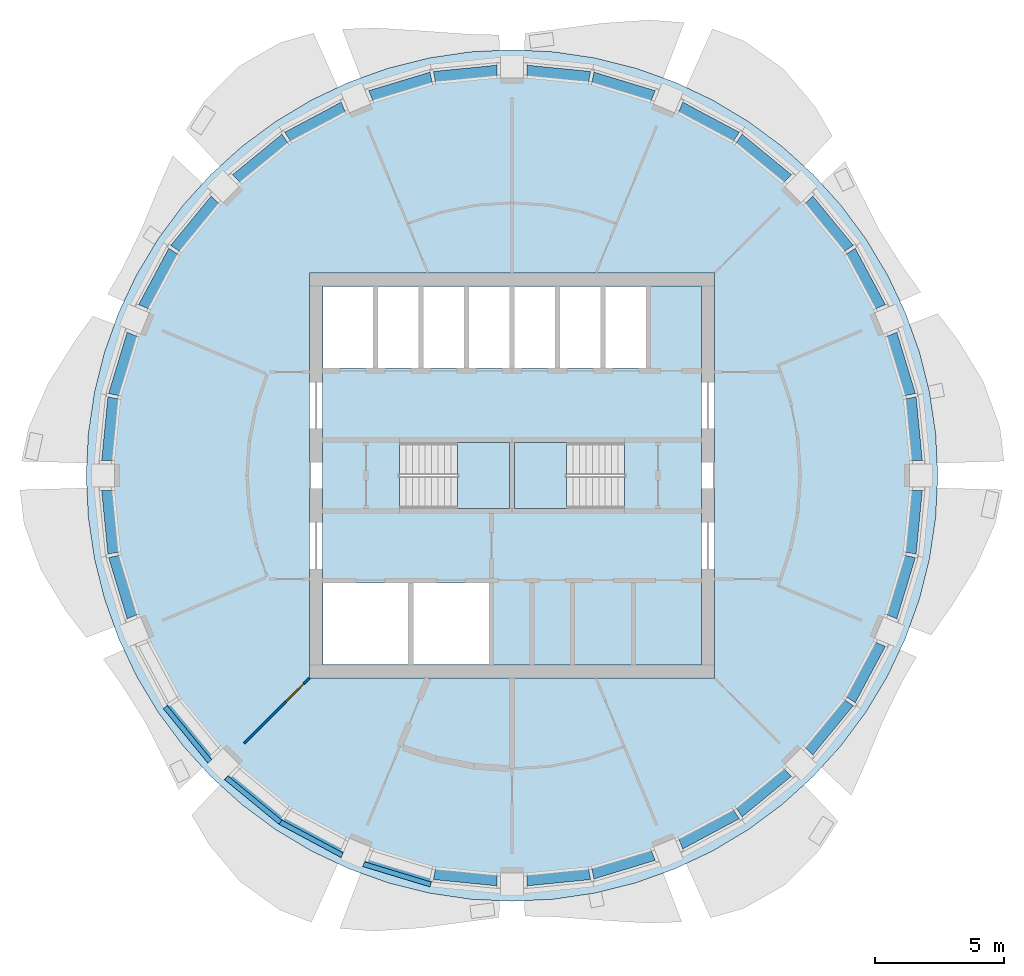
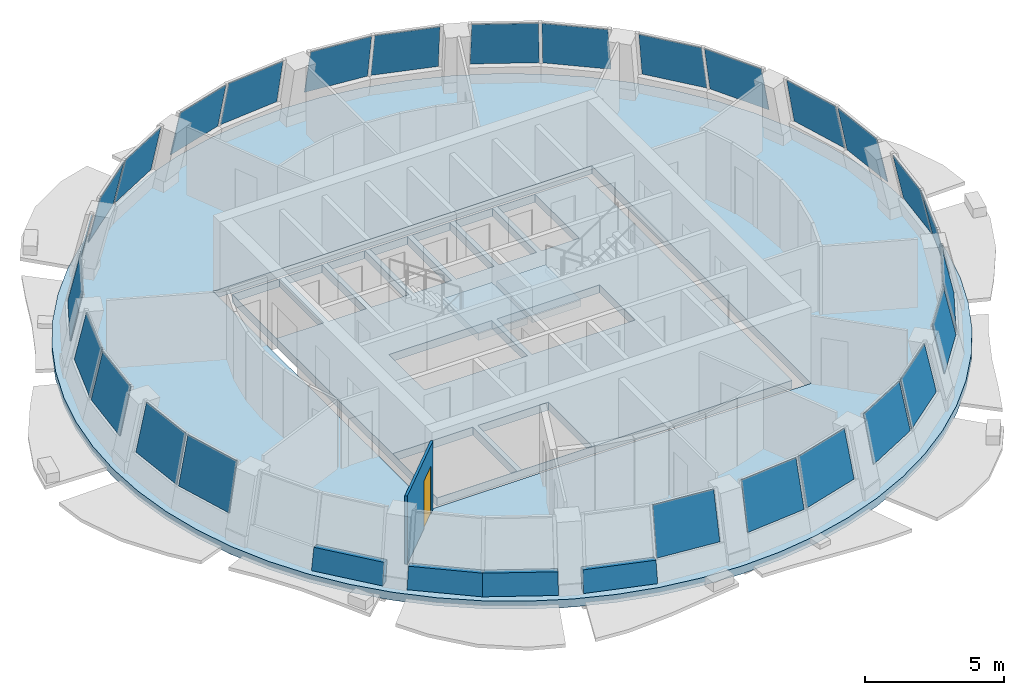
# One storey, part 3 of 11: 27 plates, 5 walls, 4 slabs, 1 door, 1 opening, 16 elements without a shape of their own.
"""IFC4 building model written with IfcOpenShell, lengths in metres."""

from ifc_helpers import new_model, si_unit, direction, frame, frame_2d, origin, place, context, subcontext, project, spatial, polyline, rectangle, outline, extrude, material, layer, layer_set, type_object, element, fill, aggregate, save


model = new_model("IFC4")

# Units and contexts
model_context = context("Model", 3, precision=1e-05, world=origin(), true_north=direction((0.0, 1.0)))
body_context = subcontext(model_context, "Body", "Model", "MODEL_VIEW")
ifc_project = project(units=[si_unit("LENGTHUNIT", "METRE"), si_unit("AREAUNIT", "SQUARE_METRE"), si_unit("VOLUMEUNIT", "CUBIC_METRE"), si_unit("PLANEANGLEUNIT", "RADIAN"), si_unit("MASSUNIT", "GRAM", prefix="KILO")], contexts=[model_context])

# Site, building, storey
site_placement = place(None, origin())
site = spatial("IfcSite", under=ifc_project, at=site_placement, CompositionType="ELEMENT")
building_placement = place(site_placement, origin())
building = spatial("IfcBuilding", under=site, at=building_placement, Name="Polderwave Tower", CompositionType="ELEMENT")
storey_placement = place(building_placement, frame((0.0, 0.0, 214.449951171875)))
storey = spatial("IfcBuildingStorey", under=building, at=storey_placement, Name="L58", CompositionType="ELEMENT", Elevation=214.449951171875)

# Slab
ifc_material_1 = material(Name="Concrete C40/50", Category="concrete")
ifc_layer_1 = layer(ifc_material_1, 0.35009765625)
ifc_layer_set_1 = layer_set([ifc_layer_1], Name="Core floor slab 350")
slab_type_1 = type_object("IfcSlabType", Name="Core floor slab 350", PredefinedType="FLOOR", material=ifc_layer_set_1)
slab_1_placement = place(storey_placement, frame((0.0, 0.0, -0.349853515625)))
element("IfcSlab", 1, at=slab_1_placement, inside=storey, type_object=slab_type_1, Name="L58 core floor", PredefinedType="FLOOR", context=body_context, shape_type="SweptSolid", body=[
    extrude(outline(polyline([(-7.3740234375, -7.3740234375), (7.3740234375, -7.3740234375), (7.3740234375, 7.3740234375), (-7.3740234375, 7.3740234375), (-7.3740234375, -7.3740234375)]), holes=[polyline([(-7.35400390625, -7.35400390625), (-4.037109375, -7.35400390625), (-4.037109375, -4.174072265625), (-7.35400390625, -4.174072265625), (-7.35400390625, -7.35400390625)]), polyline([(-3.8369140625, -7.35400390625), (-0.89990234375, -7.35400390625), (-0.89990234375, -4.174072265625), (-3.8369140625, -4.174072265625), (-3.8369140625, -7.35400390625)]), polyline([(-7.35400390625, 4.174072265625), (-5.405517578125, 4.174072265625), (-5.405517578125, 7.35400390625), (-7.35400390625, 7.35400390625), (-7.35400390625, 4.174072265625)]), polyline([(-5.20556640625, 4.174072265625), (-3.636962890625, 4.174072265625), (-3.636962890625, 7.35400390625), (-5.20556640625, 7.35400390625), (-5.20556640625, 4.174072265625)]), polyline([(-3.43701171875, 4.174072265625), (-1.868408203125, 4.174072265625), (-1.868408203125, 7.35400390625), (-3.43701171875, 7.35400390625), (-3.43701171875, 4.174072265625)]), polyline([(-1.66845703125, 4.174072265625), (-0.10009765625, 4.174072265625), (-0.10009765625, 7.35400390625), (-1.66845703125, 7.35400390625), (-1.66845703125, 4.174072265625)]), polyline([(0.10009765625, 4.174072265625), (1.66845703125, 4.174072265625), (1.66845703125, 7.35400390625), (0.10009765625, 7.35400390625), (0.10009765625, 4.174072265625)]), polyline([(1.868408203125, 4.174072265625), (3.43701171875, 4.174072265625), (3.43701171875, 7.35400390625), (1.868408203125, 7.35400390625), (1.868408203125, 4.174072265625)]), polyline([(3.636962890625, 4.174072265625), (5.20556640625, 4.174072265625), (5.20556640625, 7.35400390625), (3.636962890625, 7.35400390625), (3.636962890625, 4.174072265625)]), polyline([(-4.37353515625, -1.2744140625), (-0.1005859375, -1.2744140625), (-0.1005859375, 1.2744140625), (-4.37353515625, 1.2744140625), (-4.37353515625, -1.2744140625)]), polyline([(0.1005859375, -1.2744140625), (4.37353515625, -1.2744140625), (4.37353515625, 1.2744140625), (0.1005859375, 1.2744140625), (0.1005859375, -1.2744140625)])]), origin(), (0.0, 0.0, 1.0), 0.349853515625),
])

# Curtain wall, plates
ifc_material_2 = material(Name="Aluminium 6063-T6 and glass", Category="aluminium")
curtain_wall_type = type_object("IfcCurtainWallType", Name="Office ribbon glazing, leaning storey wall", PredefinedType="NOTDEFINED", material=ifc_material_2)
curtain_wall_1_placement = place(storey_placement, origin())
curtain_wall_1 = element("IfcCurtainWall", 2, at=curtain_wall_1_placement, inside=storey, type_object=curtain_wall_type, Name="CW9 L58 00", PredefinedType="NOTDEFINED")
ifc_material_3 = material(Name="Glass, low-e laminated double glazing", Category="glass")
ifc_layer_2 = layer(ifc_material_3, 0.031982421875)
ifc_layer_set_2 = layer_set([ifc_layer_2], Name="Office ribbon glazing, leaning storey glass panel 32 mm")
plate_type = type_object("IfcPlateType", Name="Office ribbon glazing, leaning storey glass panel 32 mm", PredefinedType="CURTAIN_PANEL", material=ifc_layer_set_2)
plate_1_placement = place(storey_placement, frame((15.951904296875, 0.579345703125, 0.900146484375), z_axis=(0.972468969789, 0.095842556267, 0.212410704076), x_axis=(-0.098081001027, 0.995178434873, 1.341195e-06)))
plate_1 = element("IfcPlate", 3, at=plate_1_placement, type_object=plate_type, Name="CW9 panel 1", PredefinedType="CURTAIN_PANEL", context=body_context, shape_type="SweptSolid", body=[
    extrude(outline(polyline([(0.0, 0.0), (2.491506656883668, -1.3877787807814457e-17), (2.4478769391212376, 2.0876755304863455), (0.04370337708850789, 2.087432407982506), (0.0, 0.0)])), origin(), (0.0, 0.0, -1.0), 0.031982421875),
])
plate_2_placement = place(storey_placement, frame((15.68212890625, 3.185791015625, 0.900146484375), z_axis=(0.935082618148, 0.283664151549, 0.212497403192), x_axis=(-0.29029124699, 0.956938342709, -1.3194553e-05)))
plate_2 = element("IfcPlate", 4, at=plate_2_placement, type_object=plate_type, Name="CW9 panel 2", PredefinedType="CURTAIN_PANEL", context=body_context, shape_type="SweptSolid", body=[
    extrude(outline(polyline([(0.0, 0.0), (2.4907571831559125, 0.0), (2.446751873900125, 2.0875023543392603), (0.04366236367680766, 2.087436273032347), (0.0, 0.0)])), origin(), (0.0, 0.0, -1.0), 0.031982421875),
])
aggregate(curtain_wall_1, [plate_1, plate_2])

curtain_wall_2_placement = place(storey_placement, origin())
curtain_wall_2 = element("IfcCurtainWall", 5, at=curtain_wall_2_placement, inside=storey, type_object=curtain_wall_type, Name="CW9 L58 01", PredefinedType="NOTDEFINED")
plate_3_placement = place(storey_placement, frame((14.515869140625, 6.6396484375, 0.900146484375), z_axis=(0.861715716123, 0.460735218581, 0.212530193021), x_axis=(-0.471507107609, 0.881862261056, 3.91872e-07)))
plate_3 = element("IfcPlate", 6, at=plate_3_placement, type_object=plate_type, Name="CW9 panel 1", PredefinedType="CURTAIN_PANEL", context=body_context, shape_type="SweptSolid", body=[
    extrude(outline(polyline([(0.0, 0.0), (2.4910686815636995, 0.0), (2.447830424751634, 2.087483568302252), (0.04425031146905788, 2.0874855312210934), (0.0, 0.0)])), origin(), (0.0, 0.0, -1.0), 0.031982421875),
])
plate_4_placement = place(storey_placement, frame((13.269287109375, 8.944091796875, 0.900146484375), z_axis=(0.755377380032, 0.619879308249, 0.212496251592), x_axis=(-0.634366407972, 0.773032509291, -3.867736e-06)))
plate_4 = element("IfcPlate", 7, at=plate_4_placement, type_object=plate_type, Name="CW9 panel 2", PredefinedType="CURTAIN_PANEL", context=body_context, shape_type="SweptSolid", body=[
    extrude(outline(polyline([(0.0, 0.0), (2.490851267865727, -1.1102230246251565e-16), (2.4474814307514055, 2.087478468297899), (0.04372092967429351, 2.0874590947769227), (0.0, 0.0)])), origin(), (0.0, 0.0, -1.0), 0.031982421875),
])
aggregate(curtain_wall_2, [plate_3, plate_4])

curtain_wall_3_placement = place(storey_placement, origin())
curtain_wall_3 = element("IfcCurtainWall", 8, at=curtain_wall_3_placement, inside=storey, type_object=curtain_wall_type, Name="CW9 L58 02", PredefinedType="NOTDEFINED")
plate_5_placement = place(storey_placement, frame((10.86962890625, 11.689208984375, 0.900146484375), z_axis=(0.619879308249, 0.755377380032, 0.212496251592), x_axis=(-0.773032509291, 0.634366407972, 3.867736e-06)))
plate_5 = element("IfcPlate", 9, at=plate_5_placement, type_object=plate_type, Name="CW9 panel 1", PredefinedType="CURTAIN_PANEL", context=body_context, shape_type="SweptSolid", body=[
    extrude(outline(polyline([(0.0, 0.0), (2.490851267865727, 1.1102230246251565e-16), (2.447130338191433, 2.087459094776923), (0.043369837114321484, 2.087478468297899), (0.0, 0.0)])), origin(), (0.0, 0.0, -1.0), 0.031982421875),
])
plate_6_placement = place(storey_placement, frame((8.83642578125, 13.34130859375, 0.900146484375), z_axis=(0.460702361178, 0.861745423786, 0.212480961476), x_axis=(-0.881882064294, 0.47147006754, -9.524871e-06)))
plate_6 = element("IfcPlate", 10, at=plate_6_placement, type_object=plate_type, Name="CW9 panel 2", PredefinedType="CURTAIN_PANEL", context=body_context, shape_type="SweptSolid", body=[
    extrude(outline(polyline([(0.0, 0.0), (2.4910686790650898, 2.7755575615628914e-17), (2.4468183725488672, 2.0874855283444056), (0.0433533662861806, 2.087437819112489), (0.0, 0.0)])), origin(), (0.0, 0.0, -1.0), 0.031982421875),
])
aggregate(curtain_wall_3, [plate_5, plate_6])

curtain_wall_4_placement = place(storey_placement, origin())
curtain_wall_4 = element("IfcCurtainWall", 11, at=curtain_wall_4_placement, inside=storey, type_object=curtain_wall_type, Name="CW9 L58 03", PredefinedType="NOTDEFINED")
plate_7_placement = place(storey_placement, frame((5.5693359375, 14.959228515625, 0.900146484375), z_axis=(0.283628007863, 0.935136432809, 0.212308749678), x_axis=(-0.956952583207, 0.290244299663, 2.523514e-06)))
plate_7 = element("IfcPlate", 12, at=plate_7_placement, type_object=plate_type, Name="CW9 panel 1", PredefinedType="CURTAIN_PANEL", context=body_context, shape_type="SweptSolid", body=[
    extrude(outline(polyline([(0.0, 0.0), (2.49075718778154, 0.0), (2.4471656726456428, 2.0876252362478747), (0.04391340202266679, 2.08738803823287), (0.0, 0.0)])), origin(), (0.0, 0.0, -1.0), 0.031982421875),
])
plate_8_placement = place(storey_placement, frame((3.058837890625, 15.70751953125, 0.900146484375), z_axis=(0.095850468513, 0.972441255543, 0.21253397894), x_axis=(-0.995177419616, 0.098091301788, 9.09294e-07)))
plate_8 = element("IfcPlate", 13, at=plate_8_placement, type_object=plate_type, Name="CW9 panel 2", PredefinedType="CURTAIN_PANEL", context=body_context, shape_type="SweptSolid", body=[
    extrude(outline(polyline([(0.0, 0.0), (2.491506656910532, 1.3877787807814457e-17), (2.4477793327127744, 2.087484031286234), (0.04360577075969464, 2.0874885869790734), (0.0, 0.0)])), origin(), (0.0, 0.0, -1.0), 0.031982421875),
])
aggregate(curtain_wall_4, [plate_7, plate_8])

curtain_wall_5_placement = place(storey_placement, origin())
curtain_wall_5 = element("IfcCurtainWall", 14, at=curtain_wall_5_placement, inside=storey, type_object=curtain_wall_type, Name="CW9 L58 04", PredefinedType="NOTDEFINED")
plate_9_placement = place(storey_placement, frame((-0.579345703125, 15.951904296875, 0.900146484375), z_axis=(-0.095842556267, 0.972468969789, 0.212410704076), x_axis=(-0.995178434873, -0.098081001027, 1.341195e-06)))
plate_9 = element("IfcPlate", 15, at=plate_9_placement, type_object=plate_type, Name="CW9 panel 1", PredefinedType="CURTAIN_PANEL", context=body_context, shape_type="SweptSolid", body=[
    extrude(outline(polyline([(0.0, 0.0), (2.491506656883668, -1.3877787807814457e-17), (2.4478769391212376, 2.0876755304863455), (0.04370337708850789, 2.087432407982506), (0.0, 0.0)])), origin(), (0.0, 0.0, -1.0), 0.031982421875),
])
plate_10_placement = place(storey_placement, frame((-3.185791015625, 15.68212890625, 0.900146484375), z_axis=(-0.283664151549, 0.935082618148, 0.212497403192), x_axis=(-0.956938342709, -0.29029124699, -1.3194553e-05)))
plate_10 = element("IfcPlate", 16, at=plate_10_placement, type_object=plate_type, Name="CW9 panel 2", PredefinedType="CURTAIN_PANEL", context=body_context, shape_type="SweptSolid", body=[
    extrude(outline(polyline([(0.0, 0.0), (2.4907571831559125, 0.0), (2.446751873900125, 2.0875023543392603), (0.04366236367680766, 2.087436273032347), (0.0, 0.0)])), origin(), (0.0, 0.0, -1.0), 0.031982421875),
])
aggregate(curtain_wall_5, [plate_9, plate_10])

curtain_wall_6_placement = place(storey_placement, origin())
curtain_wall_6 = element("IfcCurtainWall", 17, at=curtain_wall_6_placement, inside=storey, type_object=curtain_wall_type, Name="CW9 L58 05", PredefinedType="NOTDEFINED")
plate_11_placement = place(storey_placement, frame((-6.6396484375, 14.515869140625, 0.900146484375), z_axis=(-0.460735218581, 0.861715716123, 0.212530193021), x_axis=(-0.881862261056, -0.471507107609, 3.91872e-07)))
plate_11 = element("IfcPlate", 18, at=plate_11_placement, type_object=plate_type, Name="CW9 panel 1", PredefinedType="CURTAIN_PANEL", context=body_context, shape_type="SweptSolid", body=[
    extrude(outline(polyline([(0.0, 0.0), (2.4910686815636995, 0.0), (2.447830424751634, 2.087483568302252), (0.04425031146905788, 2.0874855312210934), (0.0, 0.0)])), origin(), (0.0, 0.0, -1.0), 0.031982421875),
])
plate_12_placement = place(storey_placement, frame((-8.944091796875, 13.269287109375, 0.900146484375), z_axis=(-0.619879308249, 0.755377380032, 0.212496251592), x_axis=(-0.773032509291, -0.634366407972, -3.867736e-06)))
plate_12 = element("IfcPlate", 19, at=plate_12_placement, type_object=plate_type, Name="CW9 panel 2", PredefinedType="CURTAIN_PANEL", context=body_context, shape_type="SweptSolid", body=[
    extrude(outline(polyline([(0.0, 0.0), (2.490851267865727, -1.1102230246251565e-16), (2.4474814307514055, 2.087478468297899), (0.04372092967429351, 2.0874590947769227), (0.0, 0.0)])), origin(), (0.0, 0.0, -1.0), 0.031982421875),
])
aggregate(curtain_wall_6, [plate_11, plate_12])

curtain_wall_7_placement = place(storey_placement, origin())
curtain_wall_7 = element("IfcCurtainWall", 20, at=curtain_wall_7_placement, inside=storey, type_object=curtain_wall_type, Name="CW9 L58 06", PredefinedType="NOTDEFINED")
plate_13_placement = place(storey_placement, frame((-11.689208984375, 10.86962890625, 0.900146484375), z_axis=(-0.755377380032, 0.619879308249, 0.212496251592), x_axis=(-0.634366407972, -0.773032509291, 3.867736e-06)))
plate_13 = element("IfcPlate", 21, at=plate_13_placement, type_object=plate_type, Name="CW9 panel 1", PredefinedType="CURTAIN_PANEL", context=body_context, shape_type="SweptSolid", body=[
    extrude(outline(polyline([(0.0, 0.0), (2.490851267865727, 1.1102230246251565e-16), (2.447130338191433, 2.087459094776923), (0.043369837114321484, 2.087478468297899), (0.0, 0.0)])), origin(), (0.0, 0.0, -1.0), 0.031982421875),
])
plate_14_placement = place(storey_placement, frame((-13.34130859375, 8.83642578125, 0.900146484375), z_axis=(-0.861745423786, 0.460702361178, 0.212480961476), x_axis=(-0.47147006754, -0.881882064294, -9.524871e-06)))
plate_14 = element("IfcPlate", 22, at=plate_14_placement, type_object=plate_type, Name="CW9 panel 2", PredefinedType="CURTAIN_PANEL", context=body_context, shape_type="SweptSolid", body=[
    extrude(outline(polyline([(0.0, 0.0), (2.4910686790650898, 2.7755575615628914e-17), (2.4468183725488672, 2.0874855283444056), (0.0433533662861806, 2.087437819112489), (0.0, 0.0)])), origin(), (0.0, 0.0, -1.0), 0.031982421875),
])
aggregate(curtain_wall_7, [plate_13, plate_14])

curtain_wall_8_placement = place(storey_placement, origin())
curtain_wall_8 = element("IfcCurtainWall", 23, at=curtain_wall_8_placement, inside=storey, type_object=curtain_wall_type, Name="CW9 L58 07", PredefinedType="NOTDEFINED")
plate_15_placement = place(storey_placement, frame((-14.959228515625, 5.5693359375, 0.900146484375), z_axis=(-0.935136432809, 0.283628007863, 0.212308749678), x_axis=(-0.290244299663, -0.956952583207, 2.523514e-06)))
plate_15 = element("IfcPlate", 24, at=plate_15_placement, type_object=plate_type, Name="CW9 panel 1", PredefinedType="CURTAIN_PANEL", context=body_context, shape_type="SweptSolid", body=[
    extrude(outline(polyline([(0.0, 0.0), (2.49075718778154, 0.0), (2.4471656726456428, 2.0876252362478747), (0.04391340202266679, 2.08738803823287), (0.0, 0.0)])), origin(), (0.0, 0.0, -1.0), 0.031982421875),
])
plate_16_placement = place(storey_placement, frame((-15.70751953125, 3.058837890625, 0.900146484375), z_axis=(-0.972441255543, 0.095850468513, 0.21253397894), x_axis=(-0.098091301788, -0.995177419616, 9.09294e-07)))
plate_16 = element("IfcPlate", 25, at=plate_16_placement, type_object=plate_type, Name="CW9 panel 2", PredefinedType="CURTAIN_PANEL", context=body_context, shape_type="SweptSolid", body=[
    extrude(outline(polyline([(0.0, 0.0), (2.491506656910532, 1.3877787807814457e-17), (2.4477793327127744, 2.087484031286234), (0.04360577075969464, 2.0874885869790734), (0.0, 0.0)])), origin(), (0.0, 0.0, -1.0), 0.031982421875),
])
aggregate(curtain_wall_8, [plate_15, plate_16])

curtain_wall_9_placement = place(storey_placement, origin())
curtain_wall_9 = element("IfcCurtainWall", 26, at=curtain_wall_9_placement, inside=storey, type_object=curtain_wall_type, Name="CW9 L58 08", PredefinedType="NOTDEFINED")
plate_17_placement = place(storey_placement, frame((-15.951904296875, -0.579345703125, 0.900146484375), z_axis=(-0.972468969789, -0.095842556267, 0.212410704076), x_axis=(0.098081001027, -0.995178434873, 1.341195e-06)))
plate_17 = element("IfcPlate", 27, at=plate_17_placement, type_object=plate_type, Name="CW9 panel 1", PredefinedType="CURTAIN_PANEL", context=body_context, shape_type="SweptSolid", body=[
    extrude(outline(polyline([(0.0, 0.0), (2.491506656883668, -1.3877787807814457e-17), (2.4478769391212376, 2.0876755304863455), (0.04370337708850789, 2.087432407982506), (0.0, 0.0)])), origin(), (0.0, 0.0, -1.0), 0.031982421875),
])
plate_18_placement = place(storey_placement, frame((-15.68212890625, -3.185791015625, 0.900146484375), z_axis=(-0.935082618148, -0.283664151549, 0.212497403192), x_axis=(0.29029124699, -0.956938342709, -1.3194553e-05)))
plate_18 = element("IfcPlate", 28, at=plate_18_placement, type_object=plate_type, Name="CW9 panel 2", PredefinedType="CURTAIN_PANEL", context=body_context, shape_type="SweptSolid", body=[
    extrude(outline(polyline([(0.0, 0.0), (2.4907571831559125, 0.0), (2.446751873900125, 2.0875023543392603), (0.04366236367680766, 2.087436273032347), (0.0, 0.0)])), origin(), (0.0, 0.0, -1.0), 0.031982421875),
])
aggregate(curtain_wall_9, [plate_17, plate_18])

# Curtain wall, plate
curtain_wall_10_placement = place(storey_placement, origin())
curtain_wall_10 = element("IfcCurtainWall", 29, at=curtain_wall_10_placement, inside=storey, type_object=curtain_wall_type, Name="CW9 L58 11", PredefinedType="NOTDEFINED")
plate_19_placement = place(storey_placement, frame((-3.058837890625, -15.70751953125, 0.900146484375), z_axis=(-0.095850468513, -0.972441255543, 0.21253397894), x_axis=(0.995177419616, -0.098091301788, 9.09294e-07)))
plate_19 = element("IfcPlate", 30, at=plate_19_placement, type_object=plate_type, Name="CW9 panel 2", PredefinedType="CURTAIN_PANEL", context=body_context, shape_type="SweptSolid", body=[
    extrude(outline(polyline([(0.0, 0.0), (2.491506656910532, 1.3877787807814457e-17), (2.4477793327127744, 2.087484031286234), (0.04360577075969464, 2.0874885869790734), (0.0, 0.0)])), origin(), (0.0, 0.0, -1.0), 0.031982421875),
])
aggregate(curtain_wall_10, [plate_19])

# Curtain wall, plates
curtain_wall_11_placement = place(storey_placement, origin())
curtain_wall_11 = element("IfcCurtainWall", 31, at=curtain_wall_11_placement, inside=storey, type_object=curtain_wall_type, Name="CW9 L58 12", PredefinedType="NOTDEFINED")
plate_20_placement = place(storey_placement, frame((0.579345703125, -15.951904296875, 0.900146484375), z_axis=(0.095842556267, -0.972468969789, 0.212410704076), x_axis=(0.995178434873, 0.098081001027, 1.341195e-06)))
plate_20 = element("IfcPlate", 32, at=plate_20_placement, type_object=plate_type, Name="CW9 panel 1", PredefinedType="CURTAIN_PANEL", context=body_context, shape_type="SweptSolid", body=[
    extrude(outline(polyline([(0.0, 0.0), (2.491506656883668, -1.3877787807814457e-17), (2.4478769391212376, 2.0876755304863455), (0.04370337708850789, 2.087432407982506), (0.0, 0.0)])), origin(), (0.0, 0.0, -1.0), 0.031982421875),
])
plate_21_placement = place(storey_placement, frame((3.185791015625, -15.68212890625, 0.900146484375), z_axis=(0.283664151549, -0.935082618148, 0.212497403192), x_axis=(0.956938342709, 0.29029124699, -1.3194553e-05)))
plate_21 = element("IfcPlate", 33, at=plate_21_placement, type_object=plate_type, Name="CW9 panel 2", PredefinedType="CURTAIN_PANEL", context=body_context, shape_type="SweptSolid", body=[
    extrude(outline(polyline([(0.0, 0.0), (2.4907571831559125, 0.0), (2.446751873900125, 2.0875023543392603), (0.04366236367680766, 2.087436273032347), (0.0, 0.0)])), origin(), (0.0, 0.0, -1.0), 0.031982421875),
])
aggregate(curtain_wall_11, [plate_20, plate_21])

curtain_wall_12_placement = place(storey_placement, origin())
curtain_wall_12 = element("IfcCurtainWall", 34, at=curtain_wall_12_placement, inside=storey, type_object=curtain_wall_type, Name="CW9 L58 13", PredefinedType="NOTDEFINED")
plate_22_placement = place(storey_placement, frame((6.6396484375, -14.515869140625, 0.900146484375), z_axis=(0.460735218581, -0.861715716123, 0.212530193021), x_axis=(0.881862261056, 0.471507107609, 3.91872e-07)))
plate_22 = element("IfcPlate", 35, at=plate_22_placement, type_object=plate_type, Name="CW9 panel 1", PredefinedType="CURTAIN_PANEL", context=body_context, shape_type="SweptSolid", body=[
    extrude(outline(polyline([(0.0, 0.0), (2.4910686815636995, 0.0), (2.447830424751634, 2.087483568302252), (0.04425031146905788, 2.0874855312210934), (0.0, 0.0)])), origin(), (0.0, 0.0, -1.0), 0.031982421875),
])
plate_23_placement = place(storey_placement, frame((8.944091796875, -13.269287109375, 0.900146484375), z_axis=(0.619879308249, -0.755377380032, 0.212496251592), x_axis=(0.773032509291, 0.634366407972, -3.867736e-06)))
plate_23 = element("IfcPlate", 36, at=plate_23_placement, type_object=plate_type, Name="CW9 panel 2", PredefinedType="CURTAIN_PANEL", context=body_context, shape_type="SweptSolid", body=[
    extrude(outline(polyline([(0.0, 0.0), (2.490851267865727, -1.1102230246251565e-16), (2.4474814307514055, 2.087478468297899), (0.04372092967429351, 2.0874590947769227), (0.0, 0.0)])), origin(), (0.0, 0.0, -1.0), 0.031982421875),
])
aggregate(curtain_wall_12, [plate_22, plate_23])

curtain_wall_13_placement = place(storey_placement, origin())
curtain_wall_13 = element("IfcCurtainWall", 37, at=curtain_wall_13_placement, inside=storey, type_object=curtain_wall_type, Name="CW9 L58 14", PredefinedType="NOTDEFINED")
plate_24_placement = place(storey_placement, frame((11.689208984375, -10.86962890625, 0.900146484375), z_axis=(0.755377380032, -0.619879308249, 0.212496251592), x_axis=(0.634366407972, 0.773032509291, 3.867736e-06)))
plate_24 = element("IfcPlate", 38, at=plate_24_placement, type_object=plate_type, Name="CW9 panel 1", PredefinedType="CURTAIN_PANEL", context=body_context, shape_type="SweptSolid", body=[
    extrude(outline(polyline([(0.0, 0.0), (2.490851267865727, 1.1102230246251565e-16), (2.447130338191433, 2.087459094776923), (0.043369837114321484, 2.087478468297899), (0.0, 0.0)])), origin(), (0.0, 0.0, -1.0), 0.031982421875),
])
plate_25_placement = place(storey_placement, frame((13.34130859375, -8.83642578125, 0.900146484375), z_axis=(0.861745423786, -0.460702361178, 0.212480961476), x_axis=(0.47147006754, 0.881882064294, -9.524871e-06)))
plate_25 = element("IfcPlate", 39, at=plate_25_placement, type_object=plate_type, Name="CW9 panel 2", PredefinedType="CURTAIN_PANEL", context=body_context, shape_type="SweptSolid", body=[
    extrude(outline(polyline([(0.0, 0.0), (2.4910686790650898, 2.7755575615628914e-17), (2.4468183725488672, 2.0874855283444056), (0.0433533662861806, 2.087437819112489), (0.0, 0.0)])), origin(), (0.0, 0.0, -1.0), 0.031982421875),
])
aggregate(curtain_wall_13, [plate_24, plate_25])

curtain_wall_14_placement = place(storey_placement, origin())
curtain_wall_14 = element("IfcCurtainWall", 40, at=curtain_wall_14_placement, inside=storey, type_object=curtain_wall_type, Name="CW9 L58 15", PredefinedType="NOTDEFINED")
plate_26_placement = place(storey_placement, frame((14.959228515625, -5.5693359375, 0.900146484375), z_axis=(0.935136432809, -0.283628007863, 0.212308749678), x_axis=(0.290244299663, 0.956952583207, 2.523514e-06)))
plate_26 = element("IfcPlate", 41, at=plate_26_placement, type_object=plate_type, Name="CW9 panel 1", PredefinedType="CURTAIN_PANEL", context=body_context, shape_type="SweptSolid", body=[
    extrude(outline(polyline([(0.0, 0.0), (2.49075718778154, 0.0), (2.4471656726456428, 2.0876252362478747), (0.04391340202266679, 2.08738803823287), (0.0, 0.0)])), origin(), (0.0, 0.0, -1.0), 0.031982421875),
])
plate_27_placement = place(storey_placement, frame((15.70751953125, -3.058837890625, 0.900146484375), z_axis=(0.972441255543, -0.095850468513, 0.21253397894), x_axis=(0.098091301788, 0.995177419616, 9.09294e-07)))
plate_27 = element("IfcPlate", 42, at=plate_27_placement, type_object=plate_type, Name="CW9 panel 2", PredefinedType="CURTAIN_PANEL", context=body_context, shape_type="SweptSolid", body=[
    extrude(outline(polyline([(0.0, 0.0), (2.491506656910532, 1.3877787807814457e-17), (2.4477793327127744, 2.087484031286234), (0.04360577075969464, 2.0874885869790734), (0.0, 0.0)])), origin(), (0.0, 0.0, -1.0), 0.031982421875),
])
aggregate(curtain_wall_14, [plate_26, plate_27])

# Slab
ifc_layer_3 = layer(ifc_material_1, 0.35009765625)
ifc_layer_set_3 = layer_set([ifc_layer_3], Name="PT FLOOR SLAB 350 C40/50")
slab_type_2 = type_object("IfcSlabType", Name="PT FLOOR SLAB 350 C40/50", PredefinedType="FLOOR", material=ifc_layer_set_3)
slab_2_placement = place(storey_placement, frame((0.0, 0.0, -0.349853515625)))
element("IfcSlab", 43, at=slab_2_placement, inside=storey, type_object=slab_type_2, Name="ST-SLAB-L58", PredefinedType="FLOOR", context=body_context, shape_type="SweptSolid", body=[
    extrude(outline(polyline([(16.550048828125, 0.0), (16.47021484375, 1.622314453125), (16.23193359375, 3.228759765625), (15.83740234375, 4.80419921875), (15.290283203125, 6.33349609375), (14.595703125, 7.801513671875), (13.7607421875, 9.194580078125), (12.793212890625, 10.499267578125), (11.70263671875, 11.70263671875), (10.499267578125, 12.793212890625), (9.194580078125, 13.7607421875), (7.801513671875, 14.595703125), (6.33349609375, 15.290283203125), (4.80419921875, 15.83740234375), (3.228759765625, 16.23193359375), (1.622314453125, 16.47021484375), (0.0, 16.550048828125), (-1.622314453125, 16.47021484375), (-3.228759765625, 16.23193359375), (-4.80419921875, 15.83740234375), (-6.33349609375, 15.290283203125), (-7.801513671875, 14.595703125), (-9.194580078125, 13.7607421875), (-10.499267578125, 12.793212890625), (-11.70263671875, 11.70263671875), (-12.793212890625, 10.499267578125), (-13.7607421875, 9.194580078125), (-14.595703125, 7.801513671875), (-15.290283203125, 6.33349609375), (-15.83740234375, 4.80419921875), (-16.23193359375, 3.228759765625), (-16.47021484375, 1.622314453125), (-16.550048828125, 0.0), (-16.47021484375, -1.622314453125), (-16.23193359375, -3.228759765625), (-15.83740234375, -4.80419921875), (-15.290283203125, -6.33349609375), (-14.595703125, -7.801513671875), (-13.7607421875, -9.194580078125), (-12.793212890625, -10.499267578125), (-11.70263671875, -11.70263671875), (-10.499267578125, -12.793212890625), (-9.194580078125, -13.7607421875), (-7.801513671875, -14.595703125), (-6.33349609375, -15.290283203125), (-4.80419921875, -15.83740234375), (-3.228759765625, -16.23193359375), (-1.622314453125, -16.47021484375), (0.0, -16.550048828125), (1.622314453125, -16.47021484375), (3.228759765625, -16.23193359375), (4.80419921875, -15.83740234375), (6.33349609375, -15.290283203125), (7.801513671875, -14.595703125), (9.194580078125, -13.7607421875), (10.499267578125, -12.793212890625), (11.70263671875, -11.70263671875), (12.793212890625, -10.499267578125), (13.7607421875, -9.194580078125), (14.595703125, -7.801513671875), (15.290283203125, -6.33349609375), (15.83740234375, -4.80419921875), (16.23193359375, -3.228759765625), (16.47021484375, -1.622314453125), (16.550048828125, 0.0)]), holes=[polyline([(-7.8740234375, -7.8740234375), (7.8740234375, -7.8740234375), (7.8740234375, 7.8740234375), (-7.8740234375, 7.8740234375), (-7.8740234375, -7.8740234375)])]), origin(), (0.0, 0.0, 1.0), 0.349853515625),
])

# Stair, slab
stair_type = type_object("IfcStairType", Name="Exit stair 1200 x 20 risers", PredefinedType="HALF_TURN_STAIR", material=ifc_material_1)
stair_1_placement = place(storey_placement, origin())
stair_1 = element("IfcStair", 44, at=stair_1_placement, inside=storey, type_object=stair_type, Name="L58 Exit stair A", PredefinedType="HALF_TURN_STAIR")
ifc_layer_4 = layer(ifc_material_1, 0.300048828125)
ifc_layer_set_4 = layer_set([ifc_layer_4], Name="Stair landing 300")
slab_type_3 = type_object("IfcSlabType", Name="Stair landing 300", PredefinedType="LANDING", material=ifc_layer_set_4)
slab_3_placement = place(storey_placement, frame((0.0, 0.0, 1.375)))
slab_3 = element("IfcSlab", 45, at=slab_3_placement, type_object=slab_type_3, Name="ST-A landing 1", PredefinedType="LANDING", context=body_context, shape_type="SweptSolid", body=[
    extrude(outline(polyline([(-2.1240234375, -1.27490234375), (-0.10009765625, -1.27490234375), (-0.10009765625, 1.27490234375), (-2.1240234375, 1.27490234375), (-2.1240234375, -1.27490234375)])), origin(), (0.0, 0.0, 1.0), 0.300048828125),
])
aggregate(stair_1, [slab_3])

stair_2_placement = place(storey_placement, origin())
stair_2 = element("IfcStair", 46, at=stair_2_placement, inside=storey, type_object=stair_type, Name="L58 Exit stair B", PredefinedType="HALF_TURN_STAIR")
slab_4_placement = place(storey_placement, frame((0.0, 0.0, 1.375)))
slab_4 = element("IfcSlab", 47, at=slab_4_placement, type_object=slab_type_3, Name="ST-B landing 1", PredefinedType="LANDING", context=body_context, shape_type="SweptSolid", body=[
    extrude(outline(polyline([(2.1240234375, 1.27490234375), (0.10009765625, 1.27490234375), (0.10009765625, -1.27490234375), (2.1240234375, -1.27490234375), (2.1240234375, 1.27490234375)])), origin(), (0.0, 0.0, 1.0), 0.300048828125),
])
aggregate(stair_2, [slab_4])

# Walls
ifc_material_4 = material(Name="Concrete C50/60 (board-marked)", Category="concrete")
ifc_layer_5 = layer(ifc_material_4, 0.300048828125)
ifc_layer_set_5 = layer_set([ifc_layer_5], Name="Concrete spandrel upstand C50/60")
wall_type_1 = type_object("IfcWallType", Name="Concrete spandrel upstand C50/60", PredefinedType="SOLIDWALL", material=ifc_layer_set_5)
wall_1_placement = place(storey_placement, frame((-13.55712890625, -9.05859375, 0.0), z_axis=(-0.755471298397, -0.619786234014, 0.212433851881), x_axis=(0.634262895906, -0.77311744184, -6.31883e-07)))
element("IfcWall", 48, at=wall_1_placement, inside=storey, type_object=wall_type_1, Name="Spandrel L58 10b", PredefinedType="SOLIDWALL", context=body_context, shape_type="SweptSolid", body=[
    extrude(outline(polyline([(0.0, 0.0), (2.741026727762195, 5.551115123125783e-17), (2.721891888042317, 0.9211735773781955), (0.019377518066993598, 0.9211700573549708), (0.0, 0.0)])), origin(), (0.0, 0.0, -1.0), 0.300048828125),
])
wall_2_placement = place(storey_placement, frame((-11.177734375, -11.818603515625, 0.0), z_axis=(-0.619753676079, -0.755475436425, 0.21251410764), x_axis=(0.773134668693, -0.6342418971, -5.274869e-06)))
element("IfcWall", 49, at=wall_2_placement, inside=storey, type_object=wall_type_1, Name="Spandrel L58 11a", PredefinedType="SOLIDWALL", context=body_context, shape_type="SweptSolid", body=[
    extrude(outline(polyline([(0.0, 0.0), (2.741026726929954, 0.0), (2.7218379603471505, 0.9212029611358797), (0.01913483806120599, 0.9211735749362499), (0.0, 0.0)])), origin(), (0.0, 0.0, -1.0), 0.300048828125),
])
wall_3_placement = place(storey_placement, frame((-9.05859375, -13.55712890625, 0.0), z_axis=(-0.460882647705, -0.861652072417, 0.212468565072), x_axis=(0.881784978275, -0.471651621526, -9.49098e-07)))
element("IfcWall", 50, at=wall_3_placement, inside=storey, type_object=wall_type_1, Name="Spandrel L58 11b", PredefinedType="SOLIDWALL", context=body_context, shape_type="SweptSolid", body=[
    extrude(outline(polyline([(0.0, 0.0), (2.7418591989936596, -2.7755575615628914e-17), (2.7221629174921573, 0.9211815759173496), (0.019079052622744255, 0.9211762873854703), (0.0, 0.0)])), origin(), (0.0, 0.0, -1.0), 0.300048828125),
])
wall_4_placement = place(storey_placement, frame((-5.8046875, -15.1962890625, 0.0), z_axis=(-0.283687617525, -0.935121689346, 0.212294045554), x_axis=(0.956933882554, -0.290305949635, -5.166321e-06)))
element("IfcWall", 51, at=wall_4_placement, inside=storey, type_object=wall_type_1, Name="Spandrel L58 12a", PredefinedType="SOLIDWALL", context=body_context, shape_type="SweptSolid", body=[
    extrude(outline(polyline([(0.0, 0.0), (2.741370108362449, 5.551115123125783e-17), (2.721819555930654, 0.921157566446272), (0.01952543967357733, 0.9211287867171416), (0.0, 0.0)])), origin(), (0.0, 0.0, -1.0), 0.300048828125),
])

# Wall, opening, door
ifc_material_5 = material(Name="Plasterboard on steel studs", Category="steel")
ifc_layer_6 = layer(ifc_material_5, 0.10009765625)
ifc_layer_set_6 = layer_set([ifc_layer_6], Name="Partition 100 mm plasterboard on steel studs")
wall_type_2 = type_object("IfcWallType", Name="Partition 100 mm plasterboard on steel studs", PredefinedType="PARTITIONING", material=ifc_layer_set_6)
wall_5_placement = place(storey_placement, frame((-7.8740234375, -7.8740234375, 0.0), z_axis=(0.0, 0.0, 1.0), x_axis=(-0.707106781187, -0.707106781187, 0.0)))
wall_5 = element("IfcWall", 52, at=wall_5_placement, inside=storey, type_object=wall_type_2, Name="IN-L58-W036", PredefinedType="PARTITIONING", context=body_context, shape_type="SweptSolid", body=[
    extrude(rectangle(XDim=3.58447265625, YDim=0.10009765625, at=frame_2d((1.792236328125, 0.0))), origin(), (0.0, 0.0, 1.0), 3.0),
])
opening_placement = place(wall_5_placement, frame((0.300048828125, 0.0, 0.0)))
opening = element("IfcOpeningElement", 53, at=opening_placement, cuts=wall_5, Name="Opening L58-D61", PredefinedType="OPENING", context=body_context, shape_type="SweptSolid", body=[
    extrude(rectangle(XDim=1.0, YDim=2.10009765625, at=frame_2d((0.5, 1.050048828125))), frame((0.0, 0.06005859375, 0.0), z_axis=(0.0, -1.0, 0.0), x_axis=(1.0, 0.0, 0.0)), (0.0, 0.0, 1.0), 0.1201171875),
])
ifc_material_6 = material(Name="Timber veneer door leaf", Category="wood")
door_type = type_object("IfcDoorType", Name="Single door 1000 x 2100", OperationType="NOTDEFINED", PredefinedType="DOOR", material=ifc_material_6)
door_placement = place(opening_placement, origin())
door = element("IfcDoor", 54, at=door_placement, inside=storey, type_object=door_type, Name="Door L58-D61", OperationType="SINGLE_SWING_LEFT", OverallHeight=2.10009765625, OverallWidth=1.0, PredefinedType="DOOR", context=body_context, shape_type="SweptSolid", body=[
    extrude(rectangle(XDim=1.0, YDim=2.10009765625, at=frame_2d((0.5, 1.050048828125))), frame((0.0, 0.02490234375, 0.0), z_axis=(0.0, -1.0, 0.0), x_axis=(1.0, 0.0, 0.0)), (0.0, 0.0, 1.0), 0.050048828125),
])
fill(opening, door)

save(model, "model.ifc")
